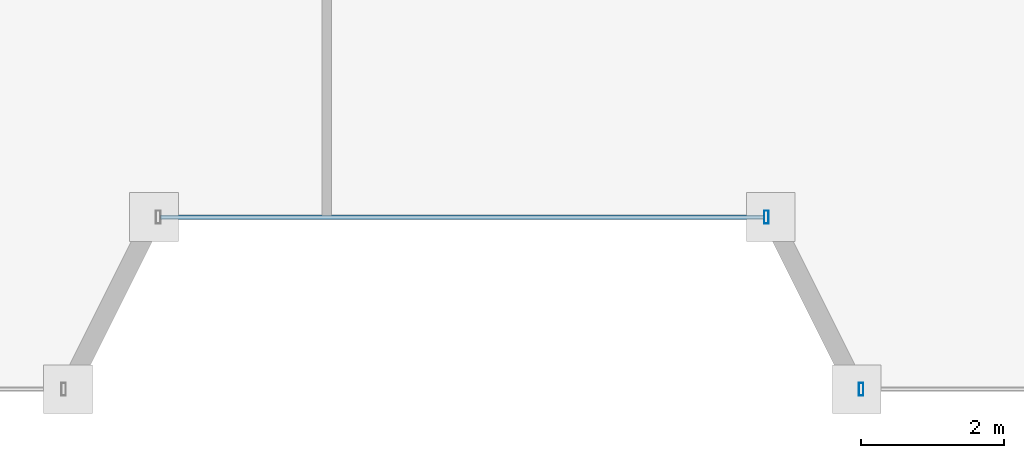
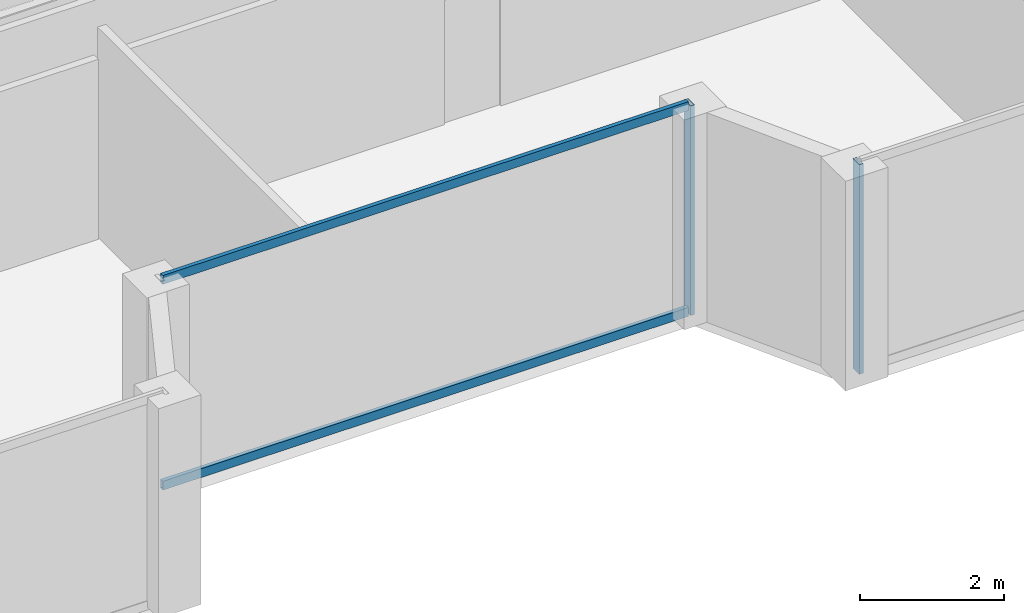
# One storey, part 7 of 23: 4 members, 2 elements without a shape of their own.
"""IFC4 building model written with IfcOpenShell, lengths in metres."""

from ifc_helpers import new_model, si_unit, direction, frame, origin, origin_2d, place, context, subcontext, project, spatial, hollow_rectangle, extrude, material, material_profile, profile_set, type_object, element, aggregate, save


model = new_model("IFC4")

# Units and contexts
model_context = context("Model", 3, precision=1e-05, world=origin(), true_north=direction((0.0, 1.0)))
body_context = subcontext(model_context, "Body", "Model", "MODEL_VIEW")
ifc_project = project(units=[si_unit("LENGTHUNIT", "METRE"), si_unit("AREAUNIT", "SQUARE_METRE"), si_unit("VOLUMEUNIT", "CUBIC_METRE"), si_unit("PLANEANGLEUNIT", "RADIAN"), si_unit("MASSUNIT", "GRAM", prefix="KILO")], contexts=[model_context])

# Site, building, storey
site_placement = place(None, origin())
site = spatial("IfcSite", under=ifc_project, at=site_placement, CompositionType="ELEMENT")
building_placement = place(site_placement, origin())
building = spatial("IfcBuilding", under=site, at=building_placement, Name="Saevonmaru Cultural Tower", CompositionType="ELEMENT")
storey_placement = place(building_placement, frame((0.0, 0.0, 302.800048828125)))
storey = spatial("IfcBuildingStorey", under=building, at=storey_placement, Name="L72", CompositionType="ELEMENT", Elevation=302.800048828125)

# Curtain wall, member
ifc_material = material(Name="Satin Bronze Anodised Aluminium", Category="aluminium")
curtain_wall_type = type_object("IfcCurtainWallType", Name="CW-TYP-B", PredefinedType="NOTDEFINED", material=ifc_material)
curtain_wall_1_placement = place(storey_placement, origin())
curtain_wall_1 = element("IfcCurtainWall", 1, at=curtain_wall_1_placement, inside=storey, type_object=curtain_wall_type, Name="L72 Unitised Curtain Wall E4", PredefinedType="NOTDEFINED")
ifc_material_profile_1 = material_profile(ifc_material, hollow_rectangle(XDim=0.06494140625, YDim=0.179931640625, WallThickness=0.00390625, at=origin_2d()), Name="ALU-MULL-180x65x4")
ifc_profile_set_1 = profile_set([ifc_material_profile_1], Name="Satin Bronze Anodised Aluminium")
member_type_1 = type_object("IfcMemberType", Name="ML-CW-180x65", PredefinedType="MULLION", material=ifc_profile_set_1)
member_1_placement = place(storey_placement, frame((34.239990234375, 35.0, 0.0), z_axis=(0.0, 0.0, 1.0), x_axis=(1.0, 0.0, 0.0)))
member_1 = element("IfcMember", 2, at=member_1_placement, type_object=member_type_1, Name="CW-TW-L72-E4 mullion 2", PredefinedType="MULLION", context=body_context, shape_type="SweptSolid", body=[
    extrude(hollow_rectangle(XDim=0.06494140625, YDim=0.179931640625, WallThickness=0.00390625, at=origin_2d()), origin(), (0.0, 0.0, 1.0), 3.550048828125),
])

curtain_wall_2_placement = place(storey_placement, origin())
curtain_wall_2 = element("IfcCurtainWall", 3, at=curtain_wall_2_placement, inside=storey, type_object=curtain_wall_type, Name="L72 Unitised Curtain Wall E6", PredefinedType="NOTDEFINED")
member_2_placement = place(storey_placement, frame((35.56005859375, 32.60009765625, 0.0), z_axis=(0.0, 0.0, 1.0), x_axis=(1.0, 0.0, 0.0)))
member_2 = element("IfcMember", 4, at=member_2_placement, type_object=member_type_1, Name="CW-TW-L72-E6 mullion 1", PredefinedType="MULLION", context=body_context, shape_type="SweptSolid", body=[
    extrude(hollow_rectangle(XDim=0.06494140625, YDim=0.179931640625, WallThickness=0.00390625, at=origin_2d()), origin(), (0.0, 0.0, 1.0), 3.550048828125),
])
aggregate(curtain_wall_2, [member_2])

# Member
ifc_material_profile_2 = material_profile(ifc_material, hollow_rectangle(XDim=0.06494140625, YDim=0.14990234375, WallThickness=0.00390625, at=origin_2d()), Name="ALU-TRAN-150x65x4")
ifc_profile_set_2 = profile_set([ifc_material_profile_2], Name="Satin Bronze Anodised Aluminium")
member_type_2 = type_object("IfcMemberType", Name="TR-CW-150x65", PredefinedType="USERDEFINED", material=ifc_profile_set_2)
member_3_placement = place(storey_placement, frame((25.79248046875, 35.0, 0.032470703125), z_axis=(1.0, 0.0, 0.0), x_axis=(0.0, 1.0, 0.0)))
member_3 = element("IfcMember", 5, at=member_3_placement, type_object=member_type_2, Name="CW-TW-L72-E4 transom 1.1", ObjectType="TRANSOM", PredefinedType="USERDEFINED", context=body_context, shape_type="SweptSolid", body=[
    extrude(hollow_rectangle(XDim=0.06494140625, YDim=0.14990234375, WallThickness=0.00390625, at=origin_2d()), origin(), (0.0, 0.0, 1.0), 8.4150390625),
])

member_4_placement = place(storey_placement, frame((25.79248046875, 35.0, 3.517333984375), z_axis=(1.0, 0.0, 0.0), x_axis=(0.0, 1.0, 0.0)))
member_4 = element("IfcMember", 6, at=member_4_placement, type_object=member_type_2, Name="CW-TW-L72-E4 transom 1.2", ObjectType="TRANSOM", PredefinedType="USERDEFINED", context=body_context, shape_type="SweptSolid", body=[
    extrude(hollow_rectangle(XDim=0.06494140625, YDim=0.14990234375, WallThickness=0.00390625, at=origin_2d()), origin(), (0.0, 0.0, 1.0), 8.4150390625),
])

aggregate(curtain_wall_1, [member_1, member_3, member_4])

save(model, "model.ifc")
